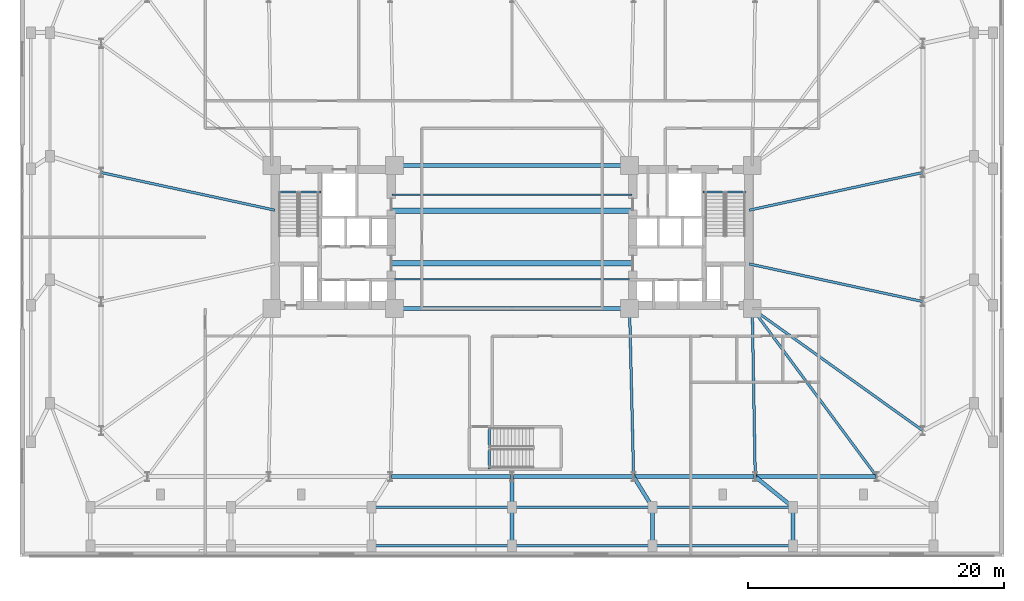
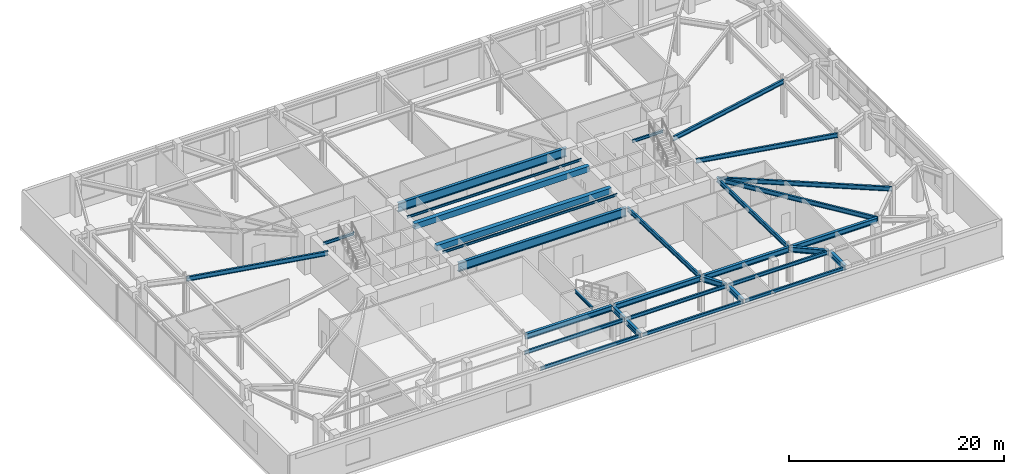
# One storey, part 8 of 23: 32 beams.
"""IFC4 building model written with IfcOpenShell, lengths in metres."""

from ifc_helpers import new_model, si_unit, direction, frame, origin, origin_2d, place, context, subcontext, project, spatial, rectangle, i_section, extrude, material, material_profile, profile_set, type_object, element, save


model = new_model("IFC4")

# Units and contexts
model_context = context("Model", 3, precision=1e-05, world=origin(), true_north=direction((0.0, 1.0)))
body_context = subcontext(model_context, "Body", "Model", "MODEL_VIEW")
ifc_project = project(units=[si_unit("LENGTHUNIT", "METRE"), si_unit("AREAUNIT", "SQUARE_METRE"), si_unit("VOLUMEUNIT", "CUBIC_METRE"), si_unit("PLANEANGLEUNIT", "RADIAN"), si_unit("MASSUNIT", "GRAM", prefix="KILO")], contexts=[model_context])

# Site, building, storey
site_placement = place(None, origin())
site = spatial("IfcSite", under=ifc_project, at=site_placement, CompositionType="ELEMENT")
building_placement = place(site_placement, origin())
building = spatial("IfcBuilding", under=site, at=building_placement, Name="Qobustan Lattice House", CompositionType="ELEMENT")
storey_placement = place(building_placement, frame((0.0, 0.0, 9.0)))
storey = spatial("IfcBuildingStorey", under=building, at=storey_placement, Name="L02", CompositionType="ELEMENT", Elevation=9.0)

# Beams
ifc_material_1 = material(Name="Steel S355", Category="steel")
ifc_material_profile_1 = material_profile(ifc_material_1, i_section(OverallWidth=0.199951171875, OverallDepth=0.5, WebThickness=0.01025390625, FlangeThickness=0.01611328125, FilletRadius=0.02099609375, at=origin_2d()), Name="IPE500")
ifc_profile_set_1 = profile_set([ifc_material_profile_1], Name="Steel S355")
beam_type_1 = type_object("IfcBeamType", Name="BM-FLG-IPE500", PredefinedType="USERDEFINED", material=ifc_profile_set_1)
beam_1_placement = place(storey_placement, frame((9.51611328125, -18.72509765625, 3.919921875), z_axis=(-0.024071445657, 0.999710240772, 0.0), x_axis=(-0.999710240772, -0.024071445657, 0.0)))
element("IfcBeam", 1, at=beam_1_placement, inside=storey, type_object=beam_type_1, Name="L02 primary floor girder RAD-S5", ObjectType="GIRDER", PredefinedType="USERDEFINED", context=body_context, shape_type="SweptSolid", body=[
    extrude(i_section(OverallWidth=0.199951171875, OverallDepth=0.5, WebThickness=0.01025390625, FlangeThickness=0.01611328125, FilletRadius=0.02099609375, at=origin_2d()), origin(), (0.0, 0.0, 1.0), 13.10400390625),
])
beam_2_placement = place(storey_placement, frame((19.032958984375, -18.72509765625, 3.919921875), z_axis=(-0.017757831607, 0.999842317276, 0.0), x_axis=(-0.999842317276, -0.017757831607, 0.0)))
element("IfcBeam", 2, at=beam_2_placement, inside=storey, type_object=beam_type_1, Name="L02 primary floor girder RAD-S6", ObjectType="GIRDER", PredefinedType="USERDEFINED", context=body_context, shape_type="SweptSolid", body=[
    extrude(i_section(OverallWidth=0.199951171875, OverallDepth=0.5, WebThickness=0.01025390625, FlangeThickness=0.01611328125, FilletRadius=0.02099609375, at=origin_2d()), origin(), (0.0, 0.0, 1.0), 13.10205078125),
])
beam_3_placement = place(storey_placement, frame((28.53515625, -18.72998046875, 3.919921875), z_axis=(-0.5955916815, 0.803287338956, 0.0), x_axis=(-0.803287338956, -0.5955916815, 0.0)))
element("IfcBeam", 3, at=beam_3_placement, inside=storey, type_object=beam_type_1, Name="L02 primary floor girder RAD-S7E", ObjectType="GIRDER", PredefinedType="USERDEFINED", context=body_context, shape_type="SweptSolid", body=[
    extrude(i_section(OverallWidth=0.199951171875, OverallDepth=0.5, WebThickness=0.01025390625, FlangeThickness=0.01611328125, FilletRadius=0.02099609375, at=origin_2d()), origin(), (0.0, 0.0, 1.0), 16.3203125),
])
for number, where, z_axis, x_axis, name in (
    (4, (-32.12548828125, 5.044677734375, 3.919921875), (0.97727240275, -0.211987383643, 0.0), (0.211987383643, 0.97727240275, 0.0), "L02 primary floor girder RAD-W2"),
    (5, (32.12548828125, 5.044677734375, 3.919921875), (-0.97727240275, -0.211987383643, 0.0), (0.211987383643, -0.97727240275, 0.0), "L02 primary floor girder RAD-E3"),
    (6, (32.12548828125, -5.044677734375, 3.919921875), (-0.97727240275, 0.211987383643, 0.0), (-0.211987383643, -0.97727240275, 0.0), "L02 primary floor girder RAD-E2"),
):
    element("IfcBeam", number, at=place(storey_placement, frame(where, z_axis=z_axis, x_axis=x_axis)), inside=storey, type_object=beam_type_1, Name=name, ObjectType="GIRDER", PredefinedType="USERDEFINED", context=body_context, shape_type="SweptSolid", body=[
        extrude(i_section(OverallWidth=0.199951171875, OverallDepth=0.5, WebThickness=0.01025390625, FlangeThickness=0.01611328125, FilletRadius=0.02099609375, at=origin_2d()), origin(), (0.0, 0.0, 1.0), 13.8662109375),
    ])
beam_4_placement = place(storey_placement, frame((32.129638671875, -15.135498046875, 3.919921875), z_axis=(-0.813318954893, 0.581818079481, 0.0), x_axis=(-0.581818079481, -0.813318954893, 0.0)))
element("IfcBeam", 7, at=beam_4_placement, inside=storey, type_object=beam_type_1, Name="L02 primary floor girder RAD-E1", ObjectType="GIRDER", PredefinedType="USERDEFINED", context=body_context, shape_type="SweptSolid", body=[
    extrude(i_section(OverallWidth=0.199951171875, OverallDepth=0.5, WebThickness=0.01025390625, FlangeThickness=0.01611328125, FilletRadius=0.02099609375, at=origin_2d()), origin(), (0.0, 0.0, 1.0), 16.3642578125),
])
ifc_material_2 = material(Name="Steel S355", Category="steel")
ifc_material_profile_2 = material_profile(ifc_material_2, i_section(OverallWidth=0.135009765625, OverallDepth=0.27001953125, WebThickness=0.006591796875, FlangeThickness=0.01025390625, FilletRadius=0.014892578125, at=origin_2d()), Name="IPE270")
ifc_profile_set_2 = profile_set([ifc_material_profile_2], Name="Steel S355")
beam_type_2 = type_object("IfcBeamType", Name="BM-JST-IPE270", PredefinedType="JOIST", material=ifc_profile_set_2)
for number, where, z_axis, x_axis, name in (
    (8, (-9.39990234375, -3.300048828125, 4.034912109375), (1.0, 0.0, 0.0), (0.0, 1.0, 0.0), "L02 central span floor joist 1"),
    (9, (-9.39990234375, 3.300048828125, 4.034912109375), (1.0, 0.0, 0.0), (0.0, 1.0, 0.0), "L02 central span floor joist 2"),
):
    element("IfcBeam", number, at=place(storey_placement, frame(where, z_axis=z_axis, x_axis=x_axis)), inside=storey, type_object=beam_type_2, Name=name, PredefinedType="JOIST", context=body_context, shape_type="SweptSolid", body=[
        extrude(i_section(OverallWidth=0.135009765625, OverallDepth=0.27001953125, WebThickness=0.006591796875, FlangeThickness=0.01025390625, FilletRadius=0.014892578125, at=origin_2d()), origin(), (0.0, 0.0, 1.0), 18.7998046875),
    ])
ifc_material_3 = material(Name="Concrete C50/60", Category="concrete")
ifc_material_profile_3 = material_profile(ifc_material_3, rectangle(XDim=0.449951171875, YDim=0.64990234375, at=origin_2d()), Name="RC450x650")
ifc_profile_set_3 = profile_set([ifc_material_profile_3], Name="Concrete C50/60")
beam_type_3 = type_object("IfcBeamType", Name="BM-LINTEL-450x650", PredefinedType="LINTEL", material=ifc_profile_set_3)
for number, where, z_axis, x_axis, name in (
    (10, (-9.39990234375, -2.050048828125, 3.844970703125), (1.0, 0.0, 0.0), (0.0, 1.0, 0.0), "L02 reinforced concrete portal lintel LN-W1"),
    (11, (-9.39990234375, 2.050048828125, 3.844970703125), (1.0, 0.0, 0.0), (0.0, 1.0, 0.0), "L02 reinforced concrete portal lintel LN-E1"),
):
    element("IfcBeam", number, at=place(storey_placement, frame(where, z_axis=z_axis, x_axis=x_axis)), inside=storey, type_object=beam_type_3, Name=name, PredefinedType="LINTEL", context=body_context, shape_type="SweptSolid", body=[
        extrude(rectangle(XDim=0.449951171875, YDim=0.64990234375, at=origin_2d()), origin(), (0.0, 0.0, 1.0), 18.7998046875),
    ])
ifc_material_4 = material(Name="Steel S355", Category="steel")
ifc_material_profile_4 = material_profile(ifc_material_4, i_section(OverallWidth=0.300048828125, OverallDepth=0.60009765625, WebThickness=0.015380859375, FlangeThickness=0.030029296875, FilletRadius=0.027099609375, at=origin_2d()), Name="HEB600")
ifc_profile_set_4 = profile_set([ifc_material_profile_4], Name="Steel S355")
beam_type_4 = type_object("IfcBeamType", Name="BM-POD-HEB600", PredefinedType="USERDEFINED", material=ifc_profile_set_4)
for number, where, z_axis, x_axis, name in (
    (12, (0.0, -24.030029296875, 3.8701171875), (0.0, 1.0, 0.0), (-1.0, 0.0, 0.0), "L02 south terrace tie girder 4"),
    (13, (11.0, -24.030029296875, 3.8701171875), (0.0, 1.0, 0.0), (-1.0, 0.0, 0.0), "L02 south terrace tie girder 5"),
    (14, (22.0, -24.030029296875, 3.8701171875), (0.0, 1.0, 0.0), (-1.0, 0.0, 0.0), "L02 south terrace tie girder 6"),
):
    element("IfcBeam", number, at=place(storey_placement, frame(where, z_axis=z_axis, x_axis=x_axis)), inside=storey, type_object=beam_type_4, Name=name, ObjectType="GIRDER", PredefinedType="USERDEFINED", context=body_context, shape_type="SweptSolid", body=[
        extrude(i_section(OverallWidth=0.300048828125, OverallDepth=0.60009765625, WebThickness=0.015380859375, FlangeThickness=0.030029296875, FilletRadius=0.027099609375, at=origin_2d()), origin(), (0.0, 0.0, 1.0), 2.760009765625),
    ])
for number, where, z_axis, x_axis, name in (
    (15, (-9.416748046875, -18.75, 3.8701171875), (1.0, 0.0, 0.0), (0.0, 1.0, 0.0), "L02 tower base ring girder S3-S4"),
    (16, (0.10009765625, -18.75, 3.8701171875), (1.0, 0.0, 0.0), (0.0, 1.0, 0.0), "L02 tower base ring girder S4-S5"),
    (17, (9.61669921875, -18.75, 3.8701171875), (1.0, 0.0, 0.0), (0.0, 1.0, 0.0), "L02 tower base ring girder S5-S6"),
    (18, (19.13330078125, -18.75, 3.8701171875), (1.0, 0.0, 0.0), (0.0, 1.0, 0.0), "L02 tower base ring girder S6-S7"),
):
    element("IfcBeam", number, at=place(storey_placement, frame(where, z_axis=z_axis, x_axis=x_axis)), inside=storey, type_object=beam_type_4, Name=name, ObjectType="GIRDER", PredefinedType="USERDEFINED", context=body_context, shape_type="SweptSolid", body=[
        extrude(i_section(OverallWidth=0.300048828125, OverallDepth=0.60009765625, WebThickness=0.015380859375, FlangeThickness=0.030029296875, FilletRadius=0.027099609375, at=origin_2d()), origin(), (0.0, 0.0, 1.0), 9.316650390625),
    ])
beam_5_placement = place(storey_placement, frame((0.0, -21.030029296875, 3.8701171875), z_axis=(0.0, 1.0, 0.0), x_axis=(-1.0, 0.0, 0.0)))
element("IfcBeam", 19, at=beam_5_placement, inside=storey, type_object=beam_type_4, Name="L02 podium radial girder PS4", ObjectType="GIRDER", PredefinedType="USERDEFINED", context=body_context, shape_type="SweptSolid", body=[
    extrude(i_section(OverallWidth=0.300048828125, OverallDepth=0.60009765625, WebThickness=0.015380859375, FlangeThickness=0.030029296875, FilletRadius=0.027099609375, at=origin_2d()), origin(), (0.0, 0.0, 1.0), 2.179931640625),
])
beam_6_placement = place(storey_placement, frame((10.93701171875, -21.0478515625, 3.8701171875), z_axis=(-0.525782588011, 0.850618992349, 0.0), x_axis=(-0.850618992349, -0.525782588011, 0.0)))
element("IfcBeam", 20, at=beam_6_placement, inside=storey, type_object=beam_type_4, Name="L02 podium radial girder PS5", ObjectType="GIRDER", PredefinedType="USERDEFINED", context=body_context, shape_type="SweptSolid", body=[
    extrude(i_section(OverallWidth=0.300048828125, OverallDepth=0.60009765625, WebThickness=0.015380859375, FlangeThickness=0.030029296875, FilletRadius=0.027099609375, at=origin_2d()), origin(), (0.0, 0.0, 1.0), 2.601318359375),
])
beam_7_placement = place(storey_placement, frame((21.90673828125, -21.074462890625, 3.8701171875), z_axis=(-0.777472502595, 0.62891693228, 0.0), x_axis=(-0.62891693228, -0.777472502595, 0.0)))
element("IfcBeam", 21, at=beam_7_placement, inside=storey, type_object=beam_type_4, Name="L02 podium radial girder PS6", ObjectType="GIRDER", PredefinedType="USERDEFINED", context=body_context, shape_type="SweptSolid", body=[
    extrude(i_section(OverallWidth=0.300048828125, OverallDepth=0.60009765625, WebThickness=0.015380859375, FlangeThickness=0.030029296875, FilletRadius=0.027099609375, at=origin_2d()), origin(), (0.0, 0.0, 1.0), 3.595703125),
])
ifc_material_5 = material(Name="Steel S355", Category="steel")
ifc_material_profile_5 = material_profile(ifc_material_5, i_section(OverallWidth=0.159912109375, OverallDepth=0.330078125, WebThickness=0.007568359375, FlangeThickness=0.011474609375, FilletRadius=0.01806640625, at=origin_2d()), Name="IPE330")
ifc_profile_set_5 = profile_set([ifc_material_profile_5], Name="Steel S355")
beam_type_5 = type_object("IfcBeamType", Name="BM-SPD-IPE330", PredefinedType="SPANDREL", material=ifc_profile_set_5)
for number, where, z_axis, x_axis, name in (
    (22, (-18.300048828125, 3.52001953125, 4.0048828125), (1.0, 0.0, 0.0), (0.0, 1.0, 0.0), "L02 west stair landing trimmer beam"),
    (23, (14.949951171875, 3.52001953125, 4.0048828125), (1.0, 0.0, 0.0), (0.0, 1.0, 0.0), "L02 east stair landing trimmer beam"),
):
    element("IfcBeam", number, at=place(storey_placement, frame(where, z_axis=z_axis, x_axis=x_axis)), inside=storey, type_object=beam_type_5, Name=name, PredefinedType="SPANDREL", context=body_context, shape_type="SweptSolid", body=[
        extrude(i_section(OverallWidth=0.159912109375, OverallDepth=0.330078125, WebThickness=0.007568359375, FlangeThickness=0.011474609375, FilletRadius=0.01806640625, at=origin_2d()), origin(), (0.0, 0.0, 1.0), 3.35009765625),
    ])
beam_8_placement = place(storey_placement, frame((-1.780029296875, -18.139892578125, 4.0048828125), z_axis=(0.0, 1.0, 0.0), x_axis=(-1.0, 0.0, 0.0)))
element("IfcBeam", 24, at=beam_8_placement, inside=storey, type_object=beam_type_5, Name="L02 podium stair landing trimmer beam", PredefinedType="SPANDREL", context=body_context, shape_type="SweptSolid", body=[
    extrude(i_section(OverallWidth=0.159912109375, OverallDepth=0.330078125, WebThickness=0.007568359375, FlangeThickness=0.011474609375, FilletRadius=0.01806640625, at=origin_2d()), origin(), (0.0, 0.0, 1.0), 3.27978515625),
])
ifc_material_6 = material(Name="Steel S355", Category="steel")
ifc_material_profile_6 = material_profile(ifc_material_6, i_section(OverallWidth=0.179931640625, OverallDepth=0.39990234375, WebThickness=0.008544921875, FlangeThickness=0.013427734375, FilletRadius=0.02099609375, at=origin_2d()), Name="IPE400")
ifc_profile_set_6 = profile_set([ifc_material_profile_6], Name="Steel S355")
beam_type_6 = type_object("IfcBeamType", Name="BM-SPD-IPE400", PredefinedType="SPANDREL", material=ifc_profile_set_6)
for number, where, z_axis, x_axis, name in (
    (25, (-10.8798828125, -21.14990234375, 3.969970703125), (1.0, 0.0, 0.0), (0.0, 1.0, 0.0), "L02 podium spandrel PS3-PS4"),
    (26, (0.1201171875, -21.14990234375, 3.969970703125), (1.0, 0.0, 0.0), (0.0, 1.0, 0.0), "L02 podium spandrel PS4-PS5"),
    (27, (11.1201171875, -21.14990234375, 3.969970703125), (1.0, 0.0, 0.0), (0.0, 1.0, 0.0), "L02 podium spandrel PS5-PS6"),
    (28, (-10.8798828125, -24.14990234375, 3.969970703125), (1.0, 0.0, 0.0), (0.0, 1.0, 0.0), "L02 lower podium spandrel PSL3-PSL4"),
    (29, (0.1201171875, -24.14990234375, 3.969970703125), (1.0, 0.0, 0.0), (0.0, 1.0, 0.0), "L02 lower podium spandrel PSL4-PSL5"),
    (30, (11.1201171875, -24.14990234375, 3.969970703125), (1.0, 0.0, 0.0), (0.0, 1.0, 0.0), "L02 lower podium spandrel PSL5-PSL6"),
):
    element("IfcBeam", number, at=place(storey_placement, frame(where, z_axis=z_axis, x_axis=x_axis)), inside=storey, type_object=beam_type_6, Name=name, PredefinedType="SPANDREL", context=body_context, shape_type="SweptSolid", body=[
        extrude(i_section(OverallWidth=0.179931640625, OverallDepth=0.39990234375, WebThickness=0.008544921875, FlangeThickness=0.013427734375, FilletRadius=0.02099609375, at=origin_2d()), origin(), (0.0, 0.0, 1.0), 10.759765625),
    ])
ifc_material_7 = material(Name="Steel S355", Category="steel")
ifc_material_profile_7 = material_profile(ifc_material_7, i_section(OverallWidth=0.302001953125, OverallDepth=1.008056640625, WebThickness=0.02099609375, FlangeThickness=0.0400390625, FilletRadius=0.030029296875, at=origin_2d()), Name="HEM1000")
ifc_profile_set_7 = profile_set([ifc_material_profile_7], Name="Steel S355")
beam_type_7 = type_object("IfcBeamType", Name="BM-TRG-HEM1000", PredefinedType="USERDEFINED", material=ifc_profile_set_7)
for number, where, z_axis, x_axis, name in (
    (31, (-9.050048828125, -5.60009765625, 3.666015625), (1.0, 0.0, 0.0), (0.0, 1.0, 0.0), "L02 core spine girder CG-CS"),
    (32, (-9.050048828125, 5.60009765625, 3.666015625), (1.0, 0.0, 0.0), (0.0, 1.0, 0.0), "L02 core spine girder CG-CN"),
):
    element("IfcBeam", number, at=place(storey_placement, frame(where, z_axis=z_axis, x_axis=x_axis)), inside=storey, type_object=beam_type_7, Name=name, ObjectType="GIRDER", PredefinedType="USERDEFINED", context=body_context, shape_type="SweptSolid", body=[
        extrude(i_section(OverallWidth=0.302001953125, OverallDepth=1.008056640625, WebThickness=0.02099609375, FlangeThickness=0.0400390625, FilletRadius=0.030029296875, at=origin_2d()), origin(), (0.0, 0.0, 1.0), 18.10009765625),
    ])

save(model, "model.ifc")
